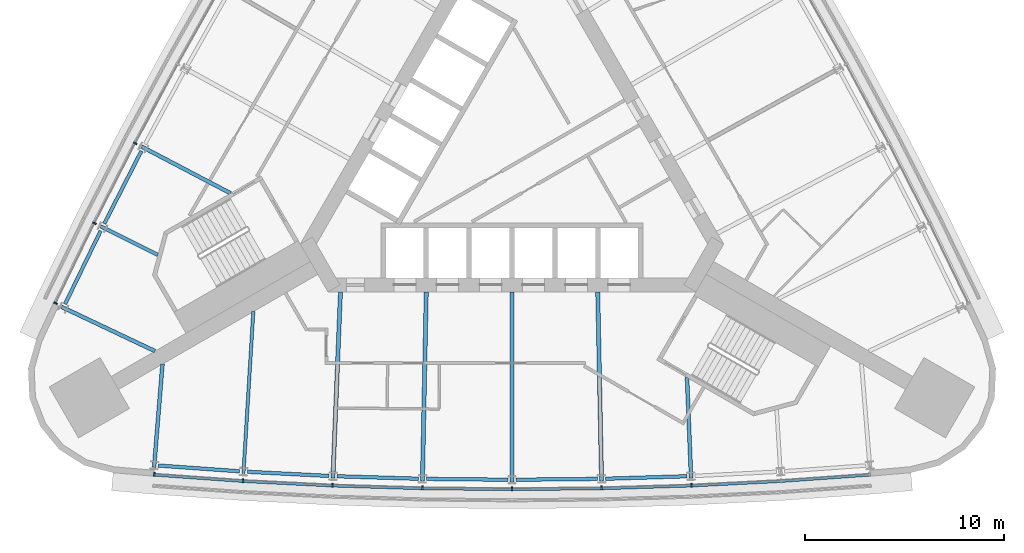
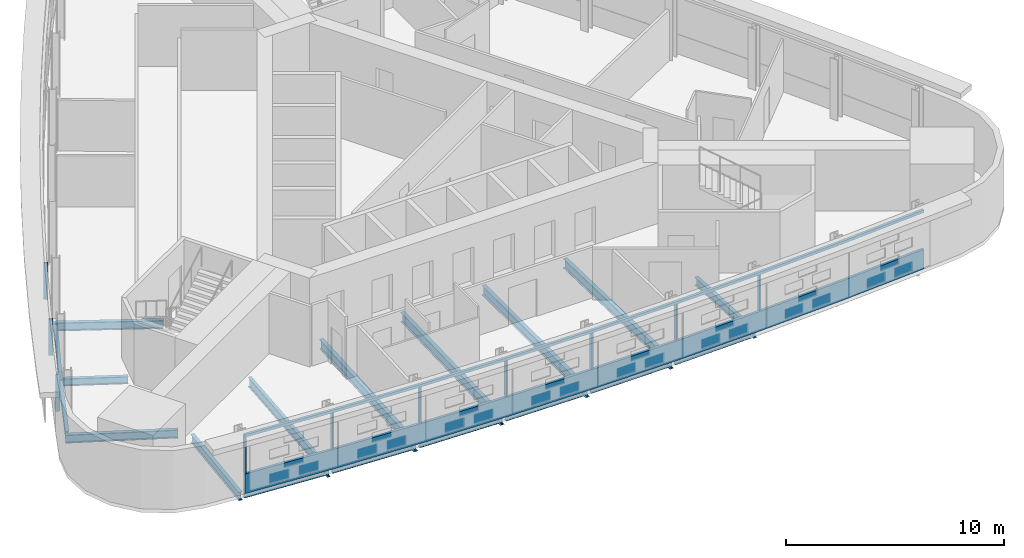
# One storey, part 2 of 11: 18 beams, 12 members, 2 elements without a shape of their own.
"""IFC4 building model written with IfcOpenShell, lengths in metres."""

from ifc_helpers import new_model, si_unit, direction, frame, origin, origin_2d, place, context, subcontext, project, spatial, polyline, rectangle, i_section, outline, extrude, material, material_profile, profile_set, type_object, element, aggregate, save


model = new_model("IFC4")

# Units and contexts
model_context = context("Model", 3, precision=1e-05, world=origin(), true_north=direction((0.0, 1.0)))
body_context = subcontext(model_context, "Body", "Model", "MODEL_VIEW")
ifc_project = project(units=[si_unit("LENGTHUNIT", "METRE"), si_unit("AREAUNIT", "SQUARE_METRE"), si_unit("VOLUMEUNIT", "CUBIC_METRE"), si_unit("PLANEANGLEUNIT", "RADIAN"), si_unit("MASSUNIT", "GRAM", prefix="KILO")], contexts=[model_context])

# Site, building, storey
site_placement = place(None, origin())
site = spatial("IfcSite", under=ifc_project, at=site_placement, CompositionType="ELEMENT")
building_placement = place(site_placement, origin())
building = spatial("IfcBuilding", under=site, at=building_placement, Name="Noor Cloister Tower", CompositionType="ELEMENT")
storey_placement = place(building_placement, frame((0.0, 0.0, 120.300048828125)))
storey = spatial("IfcBuildingStorey", under=building, at=storey_placement, Name="L31", CompositionType="ELEMENT", Elevation=120.300048828125)

# Curtain wall, member
ifc_material_1 = material(Name="Aluminium 6063-T6 anodised", Category="aluminium")
curtain_wall_type = type_object("IfcCurtainWallType", Name="Ribbon curtain wall, lower tower CW1", PredefinedType="NOTDEFINED", material=ifc_material_1)
curtain_wall_1_placement = place(storey_placement, origin())
curtain_wall_1 = element("IfcCurtainWall", 1, at=curtain_wall_1_placement, inside=storey, type_object=curtain_wall_type, Name="CW1 L31 S run 2", PredefinedType="NOTDEFINED")
ifc_material_2 = material(Name="Aluminium 6063-T6 anodised", Category="aluminium")
member_type_1 = type_object("IfcMemberType", Name="Head transom CW1 150", PredefinedType="USERDEFINED", material=ifc_material_2)
member_1_placement = place(storey_placement, frame((0.0, 0.0, 3.14990234375)))
member_1 = element("IfcMember", 2, at=member_1_placement, type_object=member_type_1, Name="CW1 head transom", ObjectType="TRANSOM", PredefinedType="USERDEFINED", context=body_context, shape_type="SweptSolid", body=[
    extrude(outline(polyline([(-17.980224609375, -16.1689453125), (-13.49169921875, -16.48828125), (-8.99755859375, -16.716552734375), (-4.499755859375, -16.853515625), (0.0, -16.899169921875), (4.499755859375, -16.853515625), (8.99755859375, -16.716552734375), (13.49169921875, -16.48828125), (17.980224609375, -16.1689453125), (17.97021484375, -16.029296875), (13.483154296875, -16.3486328125), (8.991943359375, -16.57666015625), (4.496826171875, -16.713623046875), (0.0, -16.759033203125), (-4.496826171875, -16.713623046875), (-8.991943359375, -16.57666015625), (-13.483154296875, -16.3486328125), (-17.97021484375, -16.029296875), (-17.980224609375, -16.1689453125)])), origin(), (0.0, 0.0, 1.0), 0.150146484375),
])

# Curtain wall, members
curtain_wall_2_placement = place(storey_placement, origin())
curtain_wall_2 = element("IfcCurtainWall", 3, at=curtain_wall_2_placement, inside=storey, type_object=curtain_wall_type, Name="CW1 L31 NW run 1", PredefinedType="NOTDEFINED")
ifc_material_3 = material(Name="Aluminium 6063-T6 anodised", Category="aluminium")
ifc_material_profile_1 = material_profile(ifc_material_3, rectangle(XDim=0.199951171875, YDim=0.080078125, at=origin_2d()), Name="200 x 80 mullion")
ifc_profile_set_1 = profile_set([ifc_material_profile_1], Name="Aluminium 6063-T6 anodised")
member_type_2 = type_object("IfcMemberType", Name="Mullion CW1 80 x 200", PredefinedType="MULLION", material=ifc_profile_set_1)
member_2_placement = place(storey_placement, frame((-18.88720703125, 0.519775390625, 1.099853515625), z_axis=(0.0, 0.0, 1.0), x_axis=(0.885601336169, -0.464446200733, 0.0)))
member_2 = element("IfcMember", 4, at=member_2_placement, type_object=member_type_2, Name="CW1 mullion 7", PredefinedType="MULLION", context=body_context, shape_type="SweptSolid", body=[
    extrude(rectangle(XDim=0.199951171875, YDim=0.080078125, at=origin_2d()), origin(), (0.0, 0.0, 1.0), 2.050048828125),
])
member_3_placement = place(storey_placement, frame((-20.935546875, -3.484619140625, 1.099853515625), z_axis=(0.0, 0.0, 1.0), x_axis=(0.894844162674, -0.446378678398, 0.0)))
member_3 = element("IfcMember", 5, at=member_3_placement, type_object=member_type_2, Name="CW1 mullion 8", PredefinedType="MULLION", context=body_context, shape_type="SweptSolid", body=[
    extrude(rectangle(XDim=0.199951171875, YDim=0.080078125, at=origin_2d()), origin(), (0.0, 0.0, 1.0), 2.050048828125),
])
member_4_placement = place(storey_placement, frame((-22.885498046875, -7.49462890625, 1.099853515625), z_axis=(0.0, 0.0, 1.0), x_axis=(0.899327595933, -0.437275514056, 0.0)))
member_4 = element("IfcMember", 6, at=member_4_placement, type_object=member_type_2, Name="CW1 mullion 9", PredefinedType="MULLION", context=body_context, shape_type="SweptSolid", body=[
    extrude(rectangle(XDim=0.199951171875, YDim=0.080078125, at=origin_2d()), origin(), (0.0, 0.0, 1.0), 2.050048828125),
])
aggregate(curtain_wall_2, [member_2, member_3, member_4])

# Member
member_5_placement = place(storey_placement, frame((-17.933349609375, -16.072021484375, 1.099853515625), z_axis=(0.0, 0.0, 1.0), x_axis=(0.070972094341, 0.997478301431, 0.0)))
member_5 = element("IfcMember", 7, at=member_5_placement, type_object=member_type_2, Name="CW1 mullion 1", PredefinedType="MULLION", context=body_context, shape_type="SweptSolid", body=[
    extrude(rectangle(XDim=0.199951171875, YDim=0.080078125, at=origin_2d()), origin(), (0.0, 0.0, 1.0), 2.050048828125),
])

member_6_placement = place(storey_placement, frame((-13.485595703125, -16.388427734375, 1.099853515625), z_axis=(0.0, 0.0, 1.0), x_axis=(0.060846806136, 0.998147116503, 0.0)))
member_6 = element("IfcMember", 8, at=member_6_placement, type_object=member_type_2, Name="CW1 mullion 2", PredefinedType="MULLION", context=body_context, shape_type="SweptSolid", body=[
    extrude(rectangle(XDim=0.199951171875, YDim=0.080078125, at=origin_2d()), origin(), (0.0, 0.0, 1.0), 2.050048828125),
])

member_7_placement = place(storey_placement, frame((-8.993408203125, -16.61669921875, 1.099853515625), z_axis=(0.0, 0.0, 1.0), x_axis=(0.040578459559, 0.999176355114, 0.0)))
member_7 = element("IfcMember", 9, at=member_7_placement, type_object=member_type_2, Name="CW1 mullion 3", PredefinedType="MULLION", context=body_context, shape_type="SweptSolid", body=[
    extrude(rectangle(XDim=0.199951171875, YDim=0.080078125, at=origin_2d()), origin(), (0.0, 0.0, 1.0), 2.050048828125),
])

member_8_placement = place(storey_placement, frame((-4.49755859375, -16.75341796875, 1.099853515625), z_axis=(0.0, 0.0, 1.0), x_axis=(0.020293417575, 0.999794067397, 0.0)))
member_8 = element("IfcMember", 10, at=member_8_placement, type_object=member_type_2, Name="CW1 mullion 4", PredefinedType="MULLION", context=body_context, shape_type="SweptSolid", body=[
    extrude(rectangle(XDim=0.199951171875, YDim=0.080078125, at=origin_2d()), origin(), (0.0, 0.0, 1.0), 2.050048828125),
])

member_9_placement = place(storey_placement, frame((0.0, -16.799072265625, 1.099853515625), z_axis=(0.0, 0.0, 1.0), x_axis=(0.0, 1.0, 0.0)))
member_9 = element("IfcMember", 11, at=member_9_placement, type_object=member_type_2, Name="CW1 mullion 5", PredefinedType="MULLION", context=body_context, shape_type="SweptSolid", body=[
    extrude(rectangle(XDim=0.199951171875, YDim=0.080078125, at=origin_2d()), origin(), (0.0, 0.0, 1.0), 2.050048828125),
])

member_10_placement = place(storey_placement, frame((4.49755859375, -16.75341796875, 1.099853515625), z_axis=(0.0, 0.0, 1.0), x_axis=(-0.020293417575, 0.999794067397, 0.0)))
member_10 = element("IfcMember", 12, at=member_10_placement, type_object=member_type_2, Name="CW1 mullion 6", PredefinedType="MULLION", context=body_context, shape_type="SweptSolid", body=[
    extrude(rectangle(XDim=0.199951171875, YDim=0.080078125, at=origin_2d()), origin(), (0.0, 0.0, 1.0), 2.050048828125),
])

member_11_placement = place(storey_placement, frame((8.993408203125, -16.61669921875, 1.099853515625), z_axis=(0.0, 0.0, 1.0), x_axis=(-0.040578459559, 0.999176355114, 0.0)))
member_11 = element("IfcMember", 13, at=member_11_placement, type_object=member_type_2, Name="CW1 mullion 7", PredefinedType="MULLION", context=body_context, shape_type="SweptSolid", body=[
    extrude(rectangle(XDim=0.199951171875, YDim=0.080078125, at=origin_2d()), origin(), (0.0, 0.0, 1.0), 2.050048828125),
])

# Beams
ifc_material_4 = material(Name="Steel ASTM A992 Gr 50", Category="steel")
ifc_material_profile_2 = material_profile(ifc_material_4, i_section(OverallWidth=0.177978515625, OverallDepth=0.406005859375, WebThickness=0.0078125, FlangeThickness=0.0126953125, FilletRadius=0.01025390625, at=origin_2d()), Name="W410x60")
ifc_profile_set_2 = profile_set([ifc_material_profile_2], Name="Steel ASTM A992 Gr 50")
beam_type_1 = type_object("IfcBeamType", Name="Radial beam W410x60", PredefinedType="BEAM", material=ifc_profile_set_2)
beam_1_placement = place(storey_placement, frame((-20.622802734375, -3.640625, -0.403076171875), z_axis=(0.894837673451, -0.446391686943, 0.0), x_axis=(0.446391686943, 0.894837673451, 0.0)))
element("IfcBeam", 14, at=beam_1_placement, inside=storey, type_object=beam_type_1, Name="Radial beam NW 08 L31", PredefinedType="BEAM", context=body_context, shape_type="SweptSolid", body=[
    extrude(i_section(OverallWidth=0.177978515625, OverallDepth=0.406005859375, WebThickness=0.0078125, FlangeThickness=0.0126953125, FilletRadius=0.01025390625, at=origin_2d()), origin(), (0.0, 0.0, 1.0), 3.208740234375),
])
ifc_material_5 = material(Name="Steel ASTM A992 Gr 50", Category="steel")
ifc_material_profile_3 = material_profile(ifc_material_5, i_section(OverallWidth=0.19091796875, OverallDepth=0.45703125, WebThickness=0.009033203125, FlangeThickness=0.014404296875, FilletRadius=0.01025390625, at=origin_2d()), Name="W460x74")
ifc_profile_set_3 = profile_set([ifc_material_profile_3], Name="Steel ASTM A992 Gr 50")
beam_type_2 = type_object("IfcBeamType", Name="Radial beam W460x74", PredefinedType="BEAM", material=ifc_profile_set_3)
beam_2_placement = place(storey_placement, frame((-18.57763671875, 0.357421875, -0.428466796875), z_axis=(0.885586063016, -0.464475322263, 0.0), x_axis=(0.464475322263, 0.885586063016, 0.0)))
element("IfcBeam", 15, at=beam_2_placement, inside=storey, type_object=beam_type_2, Name="Radial beam NW 07 L31", PredefinedType="BEAM", context=body_context, shape_type="SweptSolid", body=[
    extrude(i_section(OverallWidth=0.19091796875, OverallDepth=0.45703125, WebThickness=0.009033203125, FlangeThickness=0.014404296875, FilletRadius=0.01025390625, at=origin_2d()), origin(), (0.0, 0.0, 1.0), 5.04443359375),
])
for number, where, z_axis, x_axis, name in (
    (16, (-22.586669921875, -7.67919921875, -0.428466796875), (0.903712923998, -0.428138938895, 0.0), (0.428138938895, 0.903712923998, 0.0), "Radial beam NW 09 L31"),
    (17, (-17.94384765625, -15.720947265625, -0.428466796875), (0.08108247603, 0.996707395418, 0.0), (-0.996707395418, 0.08108247603, 0.0), "Radial beam S 01 L31"),
):
    element("IfcBeam", number, at=place(storey_placement, frame(where, z_axis=z_axis, x_axis=x_axis)), inside=storey, type_object=beam_type_2, Name=name, PredefinedType="BEAM", context=body_context, shape_type="SweptSolid", body=[
        extrude(i_section(OverallWidth=0.19091796875, OverallDepth=0.45703125, WebThickness=0.009033203125, FlangeThickness=0.014404296875, FilletRadius=0.01025390625, at=origin_2d()), origin(), (0.0, 0.0, 1.0), 5.18798828125),
    ])
beam_3_placement = place(storey_placement, frame((8.979248046875, -16.267333984375, -0.428466796875), z_axis=(-0.040557544065, 0.999177204313, 0.0), x_axis=(-0.999177204313, -0.040557544065, 0.0)))
element("IfcBeam", 18, at=beam_3_placement, inside=storey, type_object=beam_type_2, Name="Radial beam S 07 L31", PredefinedType="BEAM", context=body_context, shape_type="SweptSolid", body=[
    extrude(i_section(OverallWidth=0.19091796875, OverallDepth=0.45703125, WebThickness=0.009033203125, FlangeThickness=0.014404296875, FilletRadius=0.01025390625, at=origin_2d()), origin(), (0.0, 0.0, 1.0), 5.04443359375),
])
ifc_material_6 = material(Name="Steel ASTM A992 Gr 50", Category="steel")
ifc_material_profile_4 = material_profile(ifc_material_6, i_section(OverallWidth=0.166015625, OverallDepth=0.528076171875, WebThickness=0.009765625, FlangeThickness=0.013671875, FilletRadius=0.0126953125, at=origin_2d()), Name="W530x74")
ifc_profile_set_4 = profile_set([ifc_material_profile_4], Name="Steel ASTM A992 Gr 50")
beam_type_3 = type_object("IfcBeamType", Name="Radial beam W530x74", PredefinedType="BEAM", material=ifc_profile_set_4)
beam_4_placement = place(storey_placement, frame((-13.46435546875, -16.03955078125, -0.464111328125), z_axis=(0.060842147734, 0.998147400467, 0.0), x_axis=(-0.998147400467, 0.060842147734, 0.0)))
element("IfcBeam", 19, at=beam_4_placement, inside=storey, type_object=beam_type_3, Name="Radial beam S 02 L31", PredefinedType="BEAM", context=body_context, shape_type="SweptSolid", body=[
    extrude(i_section(OverallWidth=0.166015625, OverallDepth=0.528076171875, WebThickness=0.009765625, FlangeThickness=0.013671875, FilletRadius=0.0126953125, at=origin_2d()), origin(), (0.0, 0.0, 1.0), 8.1337890625),
])
ifc_material_7 = material(Name="Steel ASTM A992 Gr 50", Category="steel")
ifc_material_profile_5 = material_profile(ifc_material_7, i_section(OverallWidth=0.208984375, OverallDepth=0.532958984375, WebThickness=0.01025390625, FlangeThickness=0.015625, FilletRadius=0.0126953125, at=origin_2d()), Name="W530x92")
ifc_profile_set_5 = profile_set([ifc_material_profile_5], Name="Steel ASTM A992 Gr 50")
beam_type_4 = type_object("IfcBeamType", Name="Radial beam W530x92", PredefinedType="BEAM", material=ifc_profile_set_5)
beam_5_placement = place(storey_placement, frame((-8.979248046875, -16.267333984375, -0.466552734375), z_axis=(0.040564707257, 0.999176913527, 0.0), x_axis=(-0.999176913527, 0.040564707257, 0.0)))
element("IfcBeam", 20, at=beam_5_placement, inside=storey, type_object=beam_type_4, Name="Radial beam S 03 L31", PredefinedType="BEAM", context=body_context, shape_type="SweptSolid", body=[
    extrude(i_section(OverallWidth=0.208984375, OverallDepth=0.532958984375, WebThickness=0.01025390625, FlangeThickness=0.015625, FilletRadius=0.0126953125, at=origin_2d()), origin(), (0.0, 0.0, 1.0), 9.346923828125),
])
beam_6_placement = place(storey_placement, frame((-4.490478515625, -16.404052734375, -0.466552734375), z_axis=(0.020272544362, 0.999794490856, 0.0), x_axis=(-0.999794490856, 0.020272544362, 0.0)))
element("IfcBeam", 21, at=beam_6_placement, inside=storey, type_object=beam_type_4, Name="Radial beam S 04 L31", PredefinedType="BEAM", context=body_context, shape_type="SweptSolid", body=[
    extrude(i_section(OverallWidth=0.208984375, OverallDepth=0.532958984375, WebThickness=0.01025390625, FlangeThickness=0.015625, FilletRadius=0.0126953125, at=origin_2d()), origin(), (0.0, 0.0, 1.0), 9.477783203125),
])
beam_7_placement = place(storey_placement, frame((0.0, -16.44970703125, -0.466552734375), z_axis=(0.0, 1.0, 0.0), x_axis=(-1.0, 0.0, 0.0)))
element("IfcBeam", 22, at=beam_7_placement, inside=storey, type_object=beam_type_4, Name="Radial beam S 05 L31", PredefinedType="BEAM", context=body_context, shape_type="SweptSolid", body=[
    extrude(i_section(OverallWidth=0.208984375, OverallDepth=0.532958984375, WebThickness=0.01025390625, FlangeThickness=0.015625, FilletRadius=0.0126953125, at=origin_2d()), origin(), (0.0, 0.0, 1.0), 9.521484375),
])
beam_8_placement = place(storey_placement, frame((4.490478515625, -16.404052734375, -0.466552734375), z_axis=(-0.020272544362, 0.999794490856, 0.0), x_axis=(-0.999794490856, -0.020272544362, 0.0)))
element("IfcBeam", 23, at=beam_8_placement, inside=storey, type_object=beam_type_4, Name="Radial beam S 06 L31", PredefinedType="BEAM", context=body_context, shape_type="SweptSolid", body=[
    extrude(i_section(OverallWidth=0.208984375, OverallDepth=0.532958984375, WebThickness=0.01025390625, FlangeThickness=0.015625, FilletRadius=0.0126953125, at=origin_2d()), origin(), (0.0, 0.0, 1.0), 9.477783203125),
])

# Member
ifc_material_8 = material(Name="Aluminium 6063-T6 anodised", Category="aluminium")
member_type_3 = type_object("IfcMemberType", Name="Sill transom CW1 1100", PredefinedType="USERDEFINED", material=ifc_material_8)
member_12_placement = place(storey_placement, origin())
member_12 = element("IfcMember", 24, at=member_12_placement, type_object=member_type_3, Name="CW1 sill transom", ObjectType="TRANSOM", PredefinedType="USERDEFINED", context=body_context, shape_type="SweptSolid", body=[
    extrude(outline(polyline([(-17.980224609375, -16.1689453125), (-13.49169921875, -16.48828125), (-8.99755859375, -16.716552734375), (-4.499755859375, -16.853515625), (0.0, -16.899169921875), (4.499755859375, -16.853515625), (8.99755859375, -16.716552734375), (13.49169921875, -16.48828125), (17.980224609375, -16.1689453125), (17.97021484375, -16.029296875), (13.483154296875, -16.3486328125), (8.991943359375, -16.57666015625), (4.496826171875, -16.713623046875), (0.0, -16.759033203125), (-4.496826171875, -16.713623046875), (-8.991943359375, -16.57666015625), (-13.483154296875, -16.3486328125), (-17.97021484375, -16.029296875), (-17.980224609375, -16.1689453125)])), origin(), (0.0, 0.0, 1.0), 1.099853515625),
])

aggregate(curtain_wall_1, [member_5, member_6, member_7, member_8, member_9, member_10, member_11, member_12, member_1])

# Beams
ifc_material_9 = material(Name="Steel ASTM A992 Gr 50", Category="steel")
ifc_material_profile_6 = material_profile(ifc_material_9, i_section(OverallWidth=0.177978515625, OverallDepth=0.406005859375, WebThickness=0.0078125, FlangeThickness=0.0126953125, FilletRadius=0.01025390625, at=origin_2d()), Name="W410x60")
ifc_profile_set_6 = profile_set([ifc_material_profile_6], Name="Steel ASTM A992 Gr 50")
beam_type_5 = type_object("IfcBeamType", Name="Spandrel beam W410x60", PredefinedType="SPANDREL", material=ifc_profile_set_6)
for number, where, z_axis, x_axis, name in (
    (25, (-18.579833984375, 0.13232421875, -0.403076171875), (-0.455436177251, -0.890268436176, 0.0), (0.890268436176, -0.455436177251, 0.0), "Spandrel beam NW 07 L31"),
    (26, (-20.62060546875, -3.86572265625, -0.403076171875), (-0.437296029783, -0.899317620386, 0.0), (0.899317620386, -0.437296029783, 0.0), "Spandrel beam NW 08 L31"),
):
    element("IfcBeam", number, at=place(storey_placement, frame(where, z_axis=z_axis, x_axis=x_axis)), inside=storey, type_object=beam_type_5, Name=name, PredefinedType="SPANDREL", context=body_context, shape_type="SweptSolid", body=[
        extrude(i_section(OverallWidth=0.177978515625, OverallDepth=0.406005859375, WebThickness=0.0078125, FlangeThickness=0.0126953125, FilletRadius=0.01025390625, at=origin_2d()), origin(), (0.0, 0.0, 1.0), 4.087890625),
    ])
beam_9_placement = place(storey_placement, frame((-17.735595703125, -15.635009765625, -0.403076171875), z_axis=(0.997479576003, -0.07095417857, 0.0), x_axis=(0.07095417857, 0.997479576003, 0.0)))
element("IfcBeam", 27, at=beam_9_placement, inside=storey, type_object=beam_type_5, Name="Spandrel beam S 01 L31", PredefinedType="SPANDREL", context=body_context, shape_type="SweptSolid", body=[
    extrude(i_section(OverallWidth=0.177978515625, OverallDepth=0.406005859375, WebThickness=0.0078125, FlangeThickness=0.0126953125, FilletRadius=0.01025390625, at=origin_2d()), origin(), (0.0, 0.0, 1.0), 4.087646484375),
])
for number, where, z_axis, x_axis, name in (
    (28, (-13.258056640625, -15.949462890625, -0.403076171875), (0.998713616936, -0.050706127304, 0.0), (0.050706127304, 0.998713616936, 0.0), "Spandrel beam S 02 L31"),
    (29, (-8.77490234375, -16.173095703125, -0.403076171875), (0.999536014209, -0.030459092211, 0.0), (0.030459092211, 0.999536014209, 0.0), "Spandrel beam S 03 L31"),
    (30, (-4.2880859375, -16.3056640625, -0.403076171875), (0.999948457235, -0.010152973645, 0.0), (0.010152973645, 0.999948457235, 0.0), "Spandrel beam S 04 L31"),
    (31, (0.200439453125, -16.34716796875, -0.403076171875), (0.999948457235, 0.010152973645, 0.0), (-0.010152973645, 0.999948457235, 0.0), "Spandrel beam S 05 L31"),
    (32, (4.68896484375, -16.297607421875, -0.403076171875), (0.999536014209, 0.030459092211, 0.0), (-0.030459092211, 0.999536014209, 0.0), "Spandrel beam S 06 L31"),
):
    element("IfcBeam", number, at=place(storey_placement, frame(where, z_axis=z_axis, x_axis=x_axis)), inside=storey, type_object=beam_type_5, Name=name, PredefinedType="SPANDREL", context=body_context, shape_type="SweptSolid", body=[
        extrude(i_section(OverallWidth=0.177978515625, OverallDepth=0.406005859375, WebThickness=0.0078125, FlangeThickness=0.0126953125, FilletRadius=0.01025390625, at=origin_2d()), origin(), (0.0, 0.0, 1.0), 4.087890625),
    ])

save(model, "model.ifc")
